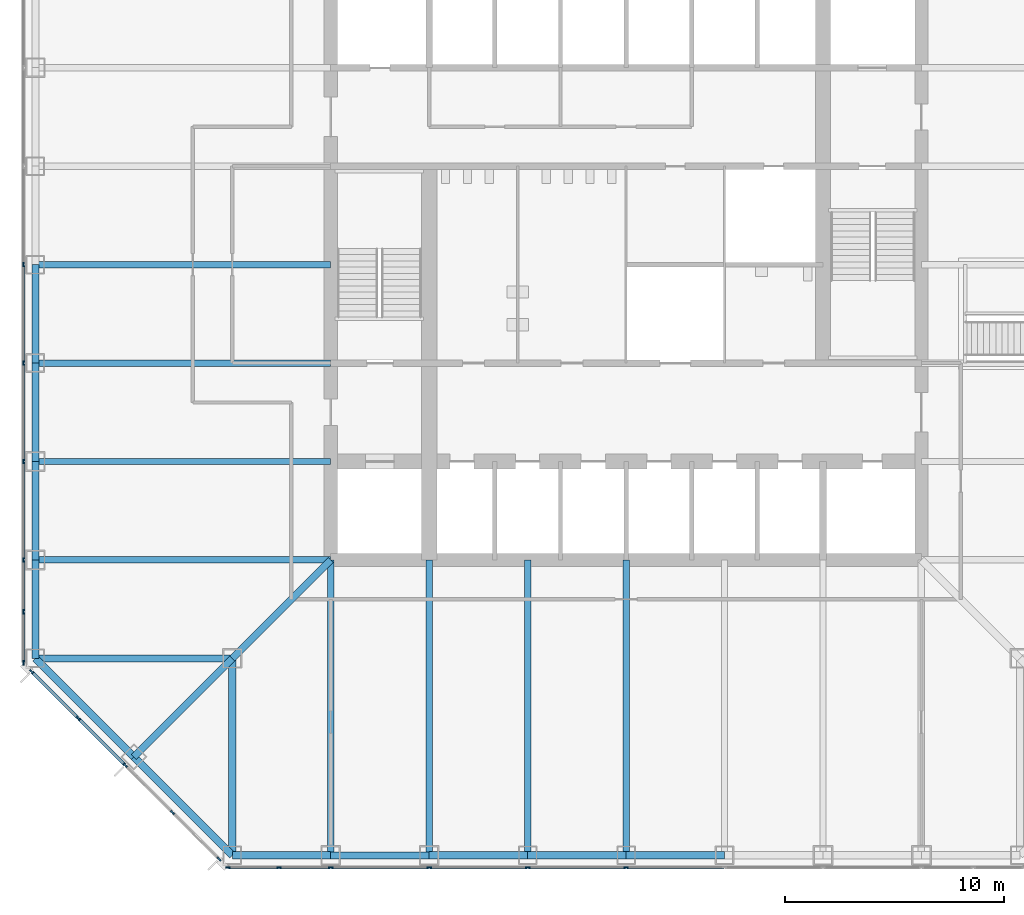
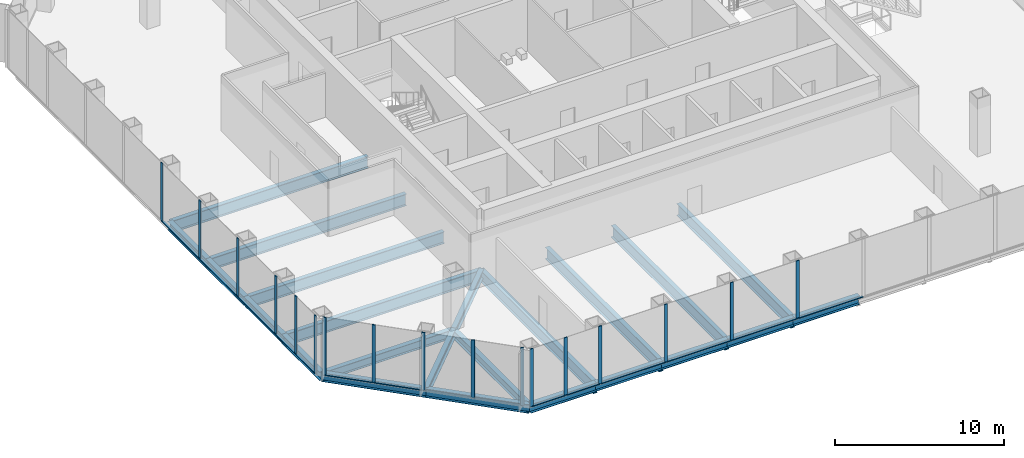
# One storey, part 2 of 12: 30 members, 23 beams, 3 elements without a shape of their own.
"""IFC4 building model written with IfcOpenShell, lengths in metres."""

from ifc_helpers import new_model, si_unit, direction, frame, origin, origin_2d, place, context, subcontext, project, spatial, rectangle, i_section, extrude, material, material_profile, profile_set, type_object, element, aggregate, save


model = new_model("IFC4")

# Units and contexts
model_context = context("Model", 3, precision=1e-05, world=origin(), true_north=direction((0.0, 1.0)))
body_context = subcontext(model_context, "Body", "Model", "MODEL_VIEW")
ifc_project = project(units=[si_unit("LENGTHUNIT", "METRE"), si_unit("AREAUNIT", "SQUARE_METRE"), si_unit("VOLUMEUNIT", "CUBIC_METRE"), si_unit("PLANEANGLEUNIT", "RADIAN"), si_unit("MASSUNIT", "GRAM", prefix="KILO")], contexts=[model_context])

# Site, building, storey
site_placement = place(None, origin())
site = spatial("IfcSite", under=ifc_project, at=site_placement, CompositionType="ELEMENT")
building_placement = place(site_placement, origin())
building = spatial("IfcBuilding", under=site, at=building_placement, Name="Corais Broadcast Tower", CompositionType="ELEMENT")
storey_placement = place(building_placement, frame((0.0, 0.0, 37.39990234375)))
storey = spatial("IfcBuildingStorey", under=building, at=storey_placement, Name="L07", CompositionType="ELEMENT", Elevation=37.39990234375)

# Beams
ifc_material_1 = material(Name="Steel ASTM A572 Grade 50", Category="steel")
ifc_material_profile_1 = material_profile(ifc_material_1, i_section(OverallWidth=0.323974609375, OverallDepth=0.611083984375, WebThickness=0.0126953125, FlangeThickness=0.01904296875, at=origin_2d()), Name="W610x155")
ifc_profile_set_1 = profile_set([ifc_material_profile_1], Name="Steel ASTM A572 Grade 50")
beam_type_1 = type_object("IfcBeamType", Name="Chamfer tie W610x155", PredefinedType="BEAM", material=ifc_profile_set_1)
beam_1_placement = place(storey_placement, frame((4.5, 4.5, -0.46533203125), z_axis=(0.707106781187, 0.707106781187, 0.0), x_axis=(-0.707106781187, 0.707106781187, 0.0)))
element("IfcBeam", 1, at=beam_1_placement, inside=storey, type_object=beam_type_1, Name="B5 B/4 to C/5", PredefinedType="BEAM", context=body_context, shape_type="SweptSolid", body=[
    extrude(i_section(OverallWidth=0.323974609375, OverallDepth=0.611083984375, WebThickness=0.0126953125, FlangeThickness=0.01904296875, at=origin_2d()), origin(), (0.0, 0.0, 1.0), 6.364013671875),
])
ifc_material_2 = material(Name="Steel ASTM A572 Grade 50", Category="steel")
ifc_material_profile_2 = material_profile(ifc_material_2, i_section(OverallWidth=0.323974609375, OverallDepth=0.611083984375, WebThickness=0.0126953125, FlangeThickness=0.01904296875, at=origin_2d()), Name="W610x155")
ifc_profile_set_2 = profile_set([ifc_material_profile_2], Name="Steel ASTM A572 Grade 50")
beam_type_2 = type_object("IfcBeamType", Name="Corner diagonal W610x155", PredefinedType="BEAM", material=ifc_profile_set_2)
beam_2_placement = place(storey_placement, frame((9.0, 9.0, -0.46533203125), z_axis=(0.707106781187, 0.707106781187, 0.0), x_axis=(-0.707106781187, 0.707106781187, 0.0)))
element("IfcBeam", 2, at=beam_2_placement, inside=storey, type_object=beam_type_2, Name="B6 C/5 to D/6", PredefinedType="BEAM", context=body_context, shape_type="SweptSolid", body=[
    extrude(i_section(OverallWidth=0.323974609375, OverallDepth=0.611083984375, WebThickness=0.0126953125, FlangeThickness=0.01904296875, at=origin_2d()), origin(), (0.0, 0.0, 1.0), 6.364013671875),
])
ifc_material_3 = material(Name="Steel ASTM A572 Grade 50", Category="steel")
ifc_material_profile_3 = material_profile(ifc_material_3, i_section(OverallWidth=0.323974609375, OverallDepth=0.611083984375, WebThickness=0.0126953125, FlangeThickness=0.01904296875, at=origin_2d()), Name="W610x155")
ifc_profile_set_3 = profile_set([ifc_material_profile_3], Name="Steel ASTM A572 Grade 50")
beam_type_3 = type_object("IfcBeamType", Name="Corner girder W610x155", PredefinedType="BEAM", material=ifc_profile_set_3)
for number, where, z_axis, x_axis, name in (
    (3, (0.0, 9.0, -0.46533203125), (1.0, 0.0, 0.0), (0.0, 1.0, 0.0), "B4 C/3 to C/5"),
    (4, (9.0, 0.0, -0.46533203125), (0.0, 1.0, 0.0), (-1.0, 0.0, 0.0), "B4 A/5 to C/5"),
):
    element("IfcBeam", number, at=place(storey_placement, frame(where, z_axis=z_axis, x_axis=x_axis)), inside=storey, type_object=beam_type_3, Name=name, PredefinedType="BEAM", context=body_context, shape_type="SweptSolid", body=[
        extrude(i_section(OverallWidth=0.323974609375, OverallDepth=0.611083984375, WebThickness=0.0126953125, FlangeThickness=0.01904296875, at=origin_2d()), origin(), (0.0, 0.0, 1.0), 9.0),
    ])
ifc_material_4 = material(Name="Steel ASTM A572 Grade 50", Category="steel")
ifc_material_profile_4 = material_profile(ifc_material_4, i_section(OverallWidth=0.2939453125, OverallDepth=0.85107421875, WebThickness=0.01611328125, FlangeThickness=0.02685546875, at=origin_2d()), Name="W840x226")
ifc_profile_set_4 = profile_set([ifc_material_profile_4], Name="Steel ASTM A572 Grade 50")
beam_type_4 = type_object("IfcBeamType", Name="Floor beam W840x226", PredefinedType="BEAM", material=ifc_profile_set_4)
for number, where, z_axis, x_axis, name in (
    (5, (0.0, 13.5, -0.58544921875), (1.0, 0.0, 0.0), (0.0, 1.0, 0.0), "B1 D/3 to D/6"),
    (6, (0.0, 18.0, -0.58544921875), (1.0, 0.0, 0.0), (0.0, 1.0, 0.0), "B1 E/3 to E/6"),
    (7, (0.0, 22.5, -0.58544921875), (1.0, 0.0, 0.0), (0.0, 1.0, 0.0), "B1 F/3 to F/6"),
    (8, (0.0, 27.0, -0.58544921875), (1.0, 0.0, 0.0), (0.0, 1.0, 0.0), "B1 G/3 to G/6"),
    (9, (13.5, 0.0, -0.58544921875), (0.0, 1.0, 0.0), (-1.0, 0.0, 0.0), "B1 A/6 to D/6"),
    (10, (18.0, 0.0, -0.58544921875), (0.0, 1.0, 0.0), (-1.0, 0.0, 0.0), "B1 A/7 to D/7"),
    (11, (22.5, 0.0, -0.58544921875), (0.0, 1.0, 0.0), (-1.0, 0.0, 0.0), "B1 A/8 to D/8"),
    (12, (27.0, 0.0, -0.58544921875), (0.0, 1.0, 0.0), (-1.0, 0.0, 0.0), "B1 A/9 to D/9"),
):
    element("IfcBeam", number, at=place(storey_placement, frame(where, z_axis=z_axis, x_axis=x_axis)), inside=storey, type_object=beam_type_4, Name=name, PredefinedType="BEAM", context=body_context, shape_type="SweptSolid", body=[
        extrude(i_section(OverallWidth=0.2939453125, OverallDepth=0.85107421875, WebThickness=0.01611328125, FlangeThickness=0.02685546875, at=origin_2d()), origin(), (0.0, 0.0, 1.0), 13.5),
    ])

# Curtain wall, members
ifc_material_5 = material(Name="Aluminium and glass", Category="aluminium")
curtain_wall_type = type_object("IfcCurtainWallType", Name="Newsroom clear-glass curtain wall CW7", PredefinedType="NOTDEFINED", material=ifc_material_5)
curtain_wall_1_placement = place(storey_placement, origin())
curtain_wall_1 = element("IfcCurtainWall", 13, at=curtain_wall_1_placement, inside=storey, type_object=curtain_wall_type, Name="CW7 curtain wall L07 1", PredefinedType="NOTDEFINED")
ifc_material_6 = material(Name="Aluminium 6063-T6", Category="aluminium")
ifc_material_profile_5 = material_profile(ifc_material_6, rectangle(XDim=0.06494140625, YDim=0.219970703125, at=origin_2d()), Name="Mullion CW7 65x220")
ifc_profile_set_5 = profile_set([ifc_material_profile_5], Name="Aluminium 6063-T6")
member_type_1 = type_object("IfcMemberType", Name="Mullion CW7 65x220", PredefinedType="MULLION", material=ifc_profile_set_5)
member_1_placement = place(storey_placement, frame((8.3955078125, -0.17333984375, 0.0), z_axis=(0.0, 0.0, 1.0), x_axis=(-0.707106781187, -0.707106781187, 0.0)))
member_1 = element("IfcMember", 14, at=member_1_placement, type_object=member_type_1, Name="CW7 mullion 1", PredefinedType="MULLION", context=body_context, shape_type="SweptSolid", body=[
    extrude(rectangle(XDim=0.06494140625, YDim=0.219970703125, at=origin_2d()), origin(), (0.0, 0.0, 1.0), 4.2001953125),
])
member_2_placement = place(storey_placement, frame((6.264892578125, 1.957275390625, 0.0), z_axis=(0.0, 0.0, 1.0), x_axis=(-0.707106781187, -0.707106781187, 0.0)))
member_2 = element("IfcMember", 15, at=member_2_placement, type_object=member_type_1, Name="CW7 mullion 2", PredefinedType="MULLION", context=body_context, shape_type="SweptSolid", body=[
    extrude(rectangle(XDim=0.06494140625, YDim=0.219970703125, at=origin_2d()), origin(), (0.0, 0.0, 1.0), 4.2001953125),
])
member_3_placement = place(storey_placement, frame((4.111083984375, 4.111083984375, 0.0), z_axis=(0.0, 0.0, 1.0), x_axis=(-0.707106781187, -0.707106781187, 0.0)))
member_3 = element("IfcMember", 16, at=member_3_placement, type_object=member_type_1, Name="CW7 mullion 3", PredefinedType="MULLION", context=body_context, shape_type="SweptSolid", body=[
    extrude(rectangle(XDim=0.06494140625, YDim=0.219970703125, at=origin_2d()), origin(), (0.0, 0.0, 1.0), 4.2001953125),
])
member_4_placement = place(storey_placement, frame((1.957275390625, 6.264892578125, 0.0), z_axis=(0.0, 0.0, 1.0), x_axis=(-0.707106781187, -0.707106781187, 0.0)))
member_4 = element("IfcMember", 17, at=member_4_placement, type_object=member_type_1, Name="CW7 mullion 4", PredefinedType="MULLION", context=body_context, shape_type="SweptSolid", body=[
    extrude(rectangle(XDim=0.06494140625, YDim=0.219970703125, at=origin_2d()), origin(), (0.0, 0.0, 1.0), 4.2001953125),
])
member_5_placement = place(storey_placement, frame((-0.17333984375, 8.3955078125, 0.0), z_axis=(0.0, 0.0, 1.0), x_axis=(-0.707106781187, -0.707106781187, 0.0)))
member_5 = element("IfcMember", 18, at=member_5_placement, type_object=member_type_1, Name="CW7 mullion 5", PredefinedType="MULLION", context=body_context, shape_type="SweptSolid", body=[
    extrude(rectangle(XDim=0.06494140625, YDim=0.219970703125, at=origin_2d()), origin(), (0.0, 0.0, 1.0), 4.2001953125),
])

curtain_wall_2_placement = place(storey_placement, origin())
curtain_wall_2 = element("IfcCurtainWall", 19, at=curtain_wall_2_placement, inside=storey, type_object=curtain_wall_type, Name="CW7 curtain wall L07 2", PredefinedType="NOTDEFINED")
member_6_placement = place(storey_placement, frame((-0.550048828125, 8.8046875, 0.0), z_axis=(0.0, 0.0, 1.0), x_axis=(-1.0, 0.0, 0.0)))
member_6 = element("IfcMember", 20, at=member_6_placement, type_object=member_type_1, Name="CW7 mullion 1", PredefinedType="MULLION", context=body_context, shape_type="SweptSolid", body=[
    extrude(rectangle(XDim=0.06494140625, YDim=0.219970703125, at=origin_2d()), origin(), (0.0, 0.0, 1.0), 4.2001953125),
])
member_7_placement = place(storey_placement, frame((-0.550048828125, 11.135986328125, 0.0), z_axis=(0.0, 0.0, 1.0), x_axis=(-1.0, 0.0, 0.0)))
member_7 = element("IfcMember", 21, at=member_7_placement, type_object=member_type_1, Name="CW7 mullion 2", PredefinedType="MULLION", context=body_context, shape_type="SweptSolid", body=[
    extrude(rectangle(XDim=0.06494140625, YDim=0.219970703125, at=origin_2d()), origin(), (0.0, 0.0, 1.0), 4.2001953125),
])
member_8_placement = place(storey_placement, frame((-0.550048828125, 13.5, 0.0), z_axis=(0.0, 0.0, 1.0), x_axis=(-1.0, 0.0, 0.0)))
member_8 = element("IfcMember", 22, at=member_8_placement, type_object=member_type_1, Name="CW7 mullion 3", PredefinedType="MULLION", context=body_context, shape_type="SweptSolid", body=[
    extrude(rectangle(XDim=0.06494140625, YDim=0.219970703125, at=origin_2d()), origin(), (0.0, 0.0, 1.0), 4.2001953125),
])
member_9_placement = place(storey_placement, frame((-0.550048828125, 18.0, 0.0), z_axis=(0.0, 0.0, 1.0), x_axis=(-1.0, 0.0, 0.0)))
member_9 = element("IfcMember", 23, at=member_9_placement, type_object=member_type_1, Name="CW7 mullion 4", PredefinedType="MULLION", context=body_context, shape_type="SweptSolid", body=[
    extrude(rectangle(XDim=0.06494140625, YDim=0.219970703125, at=origin_2d()), origin(), (0.0, 0.0, 1.0), 4.2001953125),
])
member_10_placement = place(storey_placement, frame((-0.550048828125, 22.5, 0.0), z_axis=(0.0, 0.0, 1.0), x_axis=(-1.0, 0.0, 0.0)))
member_10 = element("IfcMember", 24, at=member_10_placement, type_object=member_type_1, Name="CW7 mullion 5", PredefinedType="MULLION", context=body_context, shape_type="SweptSolid", body=[
    extrude(rectangle(XDim=0.06494140625, YDim=0.219970703125, at=origin_2d()), origin(), (0.0, 0.0, 1.0), 4.2001953125),
])
member_11_placement = place(storey_placement, frame((-0.550048828125, 27.0, 0.0), z_axis=(0.0, 0.0, 1.0), x_axis=(-1.0, 0.0, 0.0)))
member_11 = element("IfcMember", 25, at=member_11_placement, type_object=member_type_1, Name="CW7 mullion 6", PredefinedType="MULLION", context=body_context, shape_type="SweptSolid", body=[
    extrude(rectangle(XDim=0.06494140625, YDim=0.219970703125, at=origin_2d()), origin(), (0.0, 0.0, 1.0), 4.2001953125),
])

curtain_wall_3_placement = place(storey_placement, origin())
curtain_wall_3 = element("IfcCurtainWall", 26, at=curtain_wall_3_placement, inside=storey, type_object=curtain_wall_type, Name="CW7 curtain wall L07 8", PredefinedType="NOTDEFINED")
member_12_placement = place(storey_placement, frame((27.0, -0.550048828125, 0.0), z_axis=(0.0, 0.0, 1.0), x_axis=(0.0, -1.0, 0.0)))
member_12 = element("IfcMember", 27, at=member_12_placement, type_object=member_type_1, Name="CW7 mullion 6", PredefinedType="MULLION", context=body_context, shape_type="SweptSolid", body=[
    extrude(rectangle(XDim=0.06494140625, YDim=0.219970703125, at=origin_2d()), origin(), (0.0, 0.0, 1.0), 4.2001953125),
])
member_13_placement = place(storey_placement, frame((22.5, -0.550048828125, 0.0), z_axis=(0.0, 0.0, 1.0), x_axis=(0.0, -1.0, 0.0)))
member_13 = element("IfcMember", 28, at=member_13_placement, type_object=member_type_1, Name="CW7 mullion 7", PredefinedType="MULLION", context=body_context, shape_type="SweptSolid", body=[
    extrude(rectangle(XDim=0.06494140625, YDim=0.219970703125, at=origin_2d()), origin(), (0.0, 0.0, 1.0), 4.2001953125),
])
member_14_placement = place(storey_placement, frame((18.0, -0.550048828125, 0.0), z_axis=(0.0, 0.0, 1.0), x_axis=(0.0, -1.0, 0.0)))
member_14 = element("IfcMember", 29, at=member_14_placement, type_object=member_type_1, Name="CW7 mullion 8", PredefinedType="MULLION", context=body_context, shape_type="SweptSolid", body=[
    extrude(rectangle(XDim=0.06494140625, YDim=0.219970703125, at=origin_2d()), origin(), (0.0, 0.0, 1.0), 4.2001953125),
])
member_15_placement = place(storey_placement, frame((13.5, -0.550048828125, 0.0), z_axis=(0.0, 0.0, 1.0), x_axis=(0.0, -1.0, 0.0)))
member_15 = element("IfcMember", 30, at=member_15_placement, type_object=member_type_1, Name="CW7 mullion 9", PredefinedType="MULLION", context=body_context, shape_type="SweptSolid", body=[
    extrude(rectangle(XDim=0.06494140625, YDim=0.219970703125, at=origin_2d()), origin(), (0.0, 0.0, 1.0), 4.2001953125),
])
member_16_placement = place(storey_placement, frame((11.135986328125, -0.550048828125, 0.0), z_axis=(0.0, 0.0, 1.0), x_axis=(0.0, -1.0, 0.0)))
member_16 = element("IfcMember", 31, at=member_16_placement, type_object=member_type_1, Name="CW7 mullion 10", PredefinedType="MULLION", context=body_context, shape_type="SweptSolid", body=[
    extrude(rectangle(XDim=0.06494140625, YDim=0.219970703125, at=origin_2d()), origin(), (0.0, 0.0, 1.0), 4.2001953125),
])
member_17_placement = place(storey_placement, frame((8.8046875, -0.550048828125, 0.0), z_axis=(0.0, 0.0, 1.0), x_axis=(0.0, -1.0, 0.0)))
member_17 = element("IfcMember", 32, at=member_17_placement, type_object=member_type_1, Name="CW7 mullion 11", PredefinedType="MULLION", context=body_context, shape_type="SweptSolid", body=[
    extrude(rectangle(XDim=0.06494140625, YDim=0.219970703125, at=origin_2d()), origin(), (0.0, 0.0, 1.0), 4.2001953125),
])

# Beams
ifc_material_7 = material(Name="Steel ASTM A572 Grade 50", Category="steel")
ifc_material_profile_6 = material_profile(ifc_material_7, i_section(OverallWidth=0.323974609375, OverallDepth=0.611083984375, WebThickness=0.0126953125, FlangeThickness=0.01904296875, at=origin_2d()), Name="W610x155")
ifc_profile_set_6 = profile_set([ifc_material_profile_6], Name="Steel ASTM A572 Grade 50")
beam_type_5 = type_object("IfcBeamType", Name="Pinned spandrel W610x155", PredefinedType="BEAM", material=ifc_profile_set_6)
for number, where, z_axis, x_axis, name in (
    (33, (0.0, 18.0, -0.46533203125), (0.0, -1.0, 0.0), (1.0, 0.0, 0.0), "SB6 E/3 to D/3"),
    (34, (13.5, 0.0, -0.46533203125), (1.0, 0.0, 0.0), (0.0, 1.0, 0.0), "SB6 A/6 to A/7"),
):
    element("IfcBeam", number, at=place(storey_placement, frame(where, z_axis=z_axis, x_axis=x_axis)), inside=storey, type_object=beam_type_5, Name=name, PredefinedType="BEAM", context=body_context, shape_type="SweptSolid", body=[
        extrude(i_section(OverallWidth=0.323974609375, OverallDepth=0.611083984375, WebThickness=0.0126953125, FlangeThickness=0.01904296875, at=origin_2d()), origin(), (0.0, 0.0, 1.0), 4.5),
    ])
ifc_material_8 = material(Name="Steel ASTM A572 Grade 50", Category="steel")
ifc_material_profile_7 = material_profile(ifc_material_8, i_section(OverallWidth=0.3291015625, OverallDepth=0.635009765625, WebThickness=0.017822265625, FlangeThickness=0.031005859375, at=origin_2d()), Name="W610x241")
ifc_profile_set_7 = profile_set([ifc_material_profile_7], Name="Steel ASTM A572 Grade 50")
beam_type_6 = type_object("IfcBeamType", Name="Spandrel W610x241", PredefinedType="BEAM", material=ifc_profile_set_7)
for number, where, z_axis, x_axis, name in (
    (35, (0.0, 13.5, -0.477294921875), (0.0, -1.0, 0.0), (1.0, 0.0, 0.0), "SB1 D/3 to C/3"),
    (36, (0.0, 22.5, -0.477294921875), (0.0, -1.0, 0.0), (1.0, 0.0, 0.0), "SB1 F/3 to E/3"),
    (37, (0.0, 27.0, -0.477294921875), (0.0, -1.0, 0.0), (1.0, 0.0, 0.0), "SB1 G/3 to F/3"),
):
    element("IfcBeam", number, at=place(storey_placement, frame(where, z_axis=z_axis, x_axis=x_axis)), inside=storey, type_object=beam_type_6, Name=name, PredefinedType="BEAM", context=body_context, shape_type="SweptSolid", body=[
        extrude(i_section(OverallWidth=0.3291015625, OverallDepth=0.635009765625, WebThickness=0.017822265625, FlangeThickness=0.031005859375, at=origin_2d()), origin(), (0.0, 0.0, 1.0), 4.5),
    ])
beam_3_placement = place(storey_placement, frame((0.0, 9.0, -0.477294921875), z_axis=(0.707106781187, -0.707106781187, 0.0), x_axis=(0.707106781187, 0.707106781187, 0.0)))
element("IfcBeam", 38, at=beam_3_placement, inside=storey, type_object=beam_type_6, Name="SB1 C/3 to B/4", PredefinedType="BEAM", context=body_context, shape_type="SweptSolid", body=[
    extrude(i_section(OverallWidth=0.3291015625, OverallDepth=0.635009765625, WebThickness=0.017822265625, FlangeThickness=0.031005859375, at=origin_2d()), origin(), (0.0, 0.0, 1.0), 6.364013671875),
])
for number, where, z_axis, x_axis, name in (
    (39, (18.0, 0.0, -0.477294921875), (1.0, 0.0, 0.0), (0.0, 1.0, 0.0), "SB1 A/7 to A/8"),
    (40, (22.5, 0.0, -0.477294921875), (1.0, 0.0, 0.0), (0.0, 1.0, 0.0), "SB1 A/8 to A/9"),
    (41, (27.0, 0.0, -0.477294921875), (1.0, 0.0, 0.0), (0.0, 1.0, 0.0), "SB1 A/9 to A/10"),
):
    element("IfcBeam", number, at=place(storey_placement, frame(where, z_axis=z_axis, x_axis=x_axis)), inside=storey, type_object=beam_type_6, Name=name, PredefinedType="BEAM", context=body_context, shape_type="SweptSolid", body=[
        extrude(i_section(OverallWidth=0.3291015625, OverallDepth=0.635009765625, WebThickness=0.017822265625, FlangeThickness=0.031005859375, at=origin_2d()), origin(), (0.0, 0.0, 1.0), 4.5),
    ])
beam_4_placement = place(storey_placement, frame((4.5, 4.5, -0.477294921875), z_axis=(0.707106781187, -0.707106781187, 0.0), x_axis=(0.707106781187, 0.707106781187, 0.0)))
element("IfcBeam", 42, at=beam_4_placement, inside=storey, type_object=beam_type_6, Name="SB1 B/4 to A/5", PredefinedType="BEAM", context=body_context, shape_type="SweptSolid", body=[
    extrude(i_section(OverallWidth=0.3291015625, OverallDepth=0.635009765625, WebThickness=0.017822265625, FlangeThickness=0.031005859375, at=origin_2d()), origin(), (0.0, 0.0, 1.0), 6.364013671875),
])
beam_5_placement = place(storey_placement, frame((9.0, 0.0, -0.477294921875), z_axis=(1.0, 0.0, 0.0), x_axis=(0.0, 1.0, 0.0)))
element("IfcBeam", 43, at=beam_5_placement, inside=storey, type_object=beam_type_6, Name="SB1 A/5 to A/6", PredefinedType="BEAM", context=body_context, shape_type="SweptSolid", body=[
    extrude(i_section(OverallWidth=0.3291015625, OverallDepth=0.635009765625, WebThickness=0.017822265625, FlangeThickness=0.031005859375, at=origin_2d()), origin(), (0.0, 0.0, 1.0), 4.5),
])

# Member
ifc_material_9 = material(Name="Aluminium 6063-T6", Category="aluminium")
ifc_material_profile_8 = material_profile(ifc_material_9, rectangle(XDim=0.14990234375, YDim=0.06494140625, at=origin_2d()), Name="Transom CW7 65x150")
ifc_profile_set_8 = profile_set([ifc_material_profile_8], Name="Aluminium 6063-T6")
member_type_2 = type_object("IfcMemberType", Name="Transom CW7 65x150", PredefinedType="USERDEFINED", material=ifc_profile_set_8)
member_18_placement = place(storey_placement, frame((4.088134765625, 4.134033203125, 0.03271484375), z_axis=(-0.707106781187, 0.707106781187, 0.0), x_axis=(-0.707106781187, -0.707106781187, 0.0)))
member_18 = element("IfcMember", 44, at=member_18_placement, type_object=member_type_2, Name="CW7 transom 3.1", ObjectType="TRANSOM", PredefinedType="USERDEFINED", context=body_context, shape_type="SweptSolid", body=[
    extrude(rectangle(XDim=0.14990234375, YDim=0.06494140625, at=origin_2d()), origin(), (0.0, 0.0, 1.0), 2.98095703125),
])

member_19_placement = place(storey_placement, frame((1.934326171875, 6.287841796875, 0.03271484375), z_axis=(-0.707106781187, 0.707106781187, 0.0), x_axis=(-0.707106781187, -0.707106781187, 0.0)))
member_19 = element("IfcMember", 45, at=member_19_placement, type_object=member_type_2, Name="CW7 transom 4.1", ObjectType="TRANSOM", PredefinedType="USERDEFINED", context=body_context, shape_type="SweptSolid", body=[
    extrude(rectangle(XDim=0.14990234375, YDim=0.06494140625, at=origin_2d()), origin(), (0.0, 0.0, 1.0), 2.9482421875),
])

aggregate(curtain_wall_1, [member_1, member_2, member_3, member_4, member_5, member_18, member_19])

member_20_placement = place(storey_placement, frame((-0.550048828125, 8.837158203125, 0.03271484375), z_axis=(0.0, 1.0, 0.0), x_axis=(-1.0, 0.0, 0.0)))
member_20 = element("IfcMember", 46, at=member_20_placement, type_object=member_type_2, Name="CW7 transom 1.1", ObjectType="TRANSOM", PredefinedType="USERDEFINED", context=body_context, shape_type="SweptSolid", body=[
    extrude(rectangle(XDim=0.14990234375, YDim=0.06494140625, at=origin_2d()), origin(), (0.0, 0.0, 1.0), 2.266357421875),
])

member_21_placement = place(storey_placement, frame((-0.550048828125, 11.168701171875, 0.03271484375), z_axis=(0.0, 1.0, 0.0), x_axis=(-1.0, 0.0, 0.0)))
member_21 = element("IfcMember", 47, at=member_21_placement, type_object=member_type_2, Name="CW7 transom 2.1", ObjectType="TRANSOM", PredefinedType="USERDEFINED", context=body_context, shape_type="SweptSolid", body=[
    extrude(rectangle(XDim=0.14990234375, YDim=0.06494140625, at=origin_2d()), origin(), (0.0, 0.0, 1.0), 2.298828125),
])

member_22_placement = place(storey_placement, frame((-0.550048828125, 13.532470703125, 0.03271484375), z_axis=(0.0, 1.0, 0.0), x_axis=(-1.0, 0.0, 0.0)))
member_22 = element("IfcMember", 48, at=member_22_placement, type_object=member_type_2, Name="CW7 transom 3.1", ObjectType="TRANSOM", PredefinedType="USERDEFINED", context=body_context, shape_type="SweptSolid", body=[
    extrude(rectangle(XDim=0.14990234375, YDim=0.06494140625, at=origin_2d()), origin(), (0.0, 0.0, 1.0), 4.43505859375),
])

member_23_placement = place(storey_placement, frame((-0.550048828125, 18.032470703125, 0.03271484375), z_axis=(0.0, 1.0, 0.0), x_axis=(-1.0, 0.0, 0.0)))
member_23 = element("IfcMember", 49, at=member_23_placement, type_object=member_type_2, Name="CW7 transom 4.1", ObjectType="TRANSOM", PredefinedType="USERDEFINED", context=body_context, shape_type="SweptSolid", body=[
    extrude(rectangle(XDim=0.14990234375, YDim=0.06494140625, at=origin_2d()), origin(), (0.0, 0.0, 1.0), 4.43505859375),
])

member_24_placement = place(storey_placement, frame((-0.550048828125, 22.532470703125, 0.03271484375), z_axis=(0.0, 1.0, 0.0), x_axis=(-1.0, 0.0, 0.0)))
member_24 = element("IfcMember", 50, at=member_24_placement, type_object=member_type_2, Name="CW7 transom 5.1", ObjectType="TRANSOM", PredefinedType="USERDEFINED", context=body_context, shape_type="SweptSolid", body=[
    extrude(rectangle(XDim=0.14990234375, YDim=0.06494140625, at=origin_2d()), origin(), (0.0, 0.0, 1.0), 4.43505859375),
])

aggregate(curtain_wall_2, [member_6, member_7, member_8, member_9, member_10, member_11, member_20, member_21, member_22, member_23, member_24])

member_25_placement = place(storey_placement, frame((31.467529296875, -0.550048828125, 0.03271484375), z_axis=(-1.0, 0.0, 0.0), x_axis=(0.0, -1.0, 0.0)))
member_25 = element("IfcMember", 51, at=member_25_placement, type_object=member_type_2, Name="CW7 transom 5.1", ObjectType="TRANSOM", PredefinedType="USERDEFINED", context=body_context, shape_type="SweptSolid", body=[
    extrude(rectangle(XDim=0.14990234375, YDim=0.06494140625, at=origin_2d()), origin(), (0.0, 0.0, 1.0), 4.43505859375),
])

member_26_placement = place(storey_placement, frame((26.967529296875, -0.550048828125, 0.03271484375), z_axis=(-1.0, 0.0, 0.0), x_axis=(0.0, -1.0, 0.0)))
member_26 = element("IfcMember", 52, at=member_26_placement, type_object=member_type_2, Name="CW7 transom 6.1", ObjectType="TRANSOM", PredefinedType="USERDEFINED", context=body_context, shape_type="SweptSolid", body=[
    extrude(rectangle(XDim=0.14990234375, YDim=0.06494140625, at=origin_2d()), origin(), (0.0, 0.0, 1.0), 4.43505859375),
])

member_27_placement = place(storey_placement, frame((22.467529296875, -0.550048828125, 0.03271484375), z_axis=(-1.0, 0.0, 0.0), x_axis=(0.0, -1.0, 0.0)))
member_27 = element("IfcMember", 53, at=member_27_placement, type_object=member_type_2, Name="CW7 transom 7.1", ObjectType="TRANSOM", PredefinedType="USERDEFINED", context=body_context, shape_type="SweptSolid", body=[
    extrude(rectangle(XDim=0.14990234375, YDim=0.06494140625, at=origin_2d()), origin(), (0.0, 0.0, 1.0), 4.43505859375),
])

member_28_placement = place(storey_placement, frame((17.967529296875, -0.550048828125, 0.03271484375), z_axis=(-1.0, 0.0, 0.0), x_axis=(0.0, -1.0, 0.0)))
member_28 = element("IfcMember", 54, at=member_28_placement, type_object=member_type_2, Name="CW7 transom 8.1", ObjectType="TRANSOM", PredefinedType="USERDEFINED", context=body_context, shape_type="SweptSolid", body=[
    extrude(rectangle(XDim=0.14990234375, YDim=0.06494140625, at=origin_2d()), origin(), (0.0, 0.0, 1.0), 4.43505859375),
])

member_29_placement = place(storey_placement, frame((13.467529296875, -0.550048828125, 0.03271484375), z_axis=(-1.0, 0.0, 0.0), x_axis=(0.0, -1.0, 0.0)))
member_29 = element("IfcMember", 55, at=member_29_placement, type_object=member_type_2, Name="CW7 transom 9.1", ObjectType="TRANSOM", PredefinedType="USERDEFINED", context=body_context, shape_type="SweptSolid", body=[
    extrude(rectangle(XDim=0.14990234375, YDim=0.06494140625, at=origin_2d()), origin(), (0.0, 0.0, 1.0), 2.298828125),
])

member_30_placement = place(storey_placement, frame((11.103515625, -0.550048828125, 0.03271484375), z_axis=(-1.0, 0.0, 0.0), x_axis=(0.0, -1.0, 0.0)))
member_30 = element("IfcMember", 56, at=member_30_placement, type_object=member_type_2, Name="CW7 transom 10.1", ObjectType="TRANSOM", PredefinedType="USERDEFINED", context=body_context, shape_type="SweptSolid", body=[
    extrude(rectangle(XDim=0.14990234375, YDim=0.06494140625, at=origin_2d()), origin(), (0.0, 0.0, 1.0), 2.266357421875),
])

aggregate(curtain_wall_3, [member_12, member_13, member_14, member_15, member_16, member_17, member_25, member_26, member_27, member_28, member_29, member_30])

save(model, "model.ifc")
